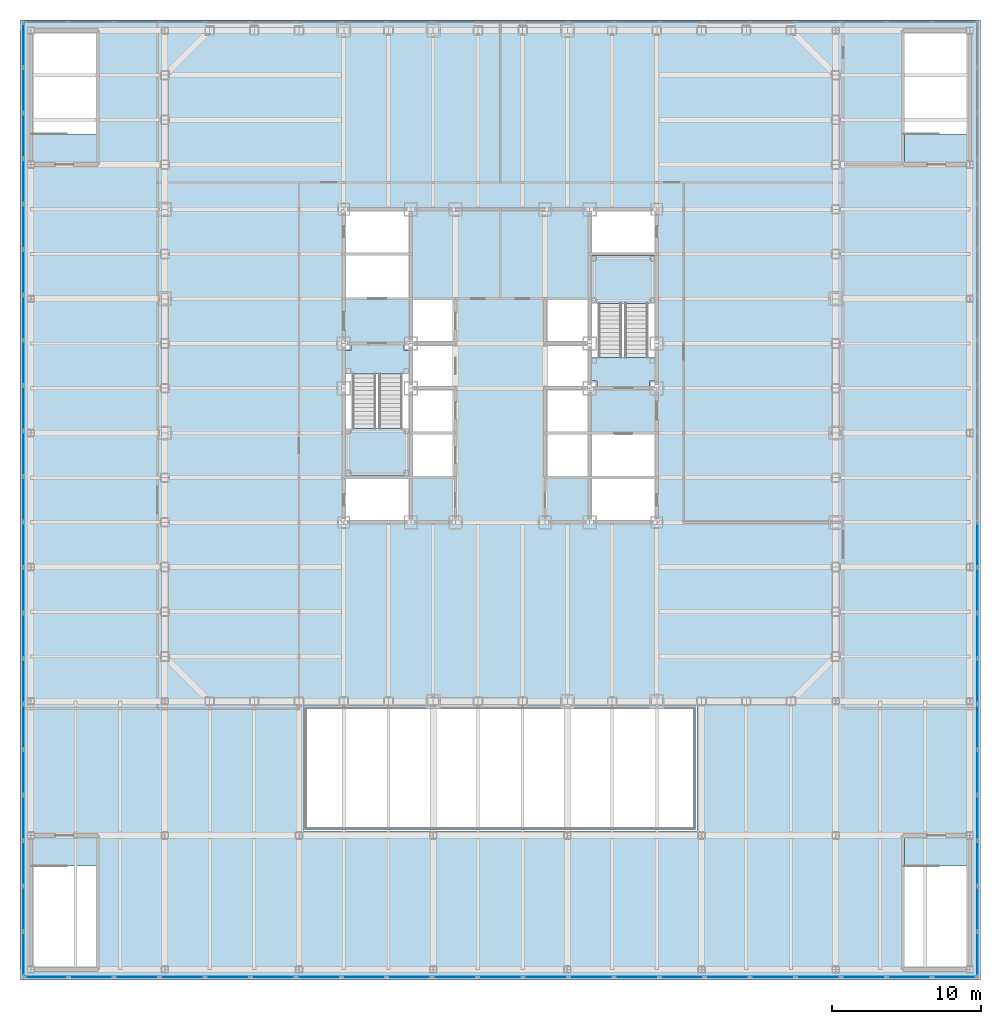
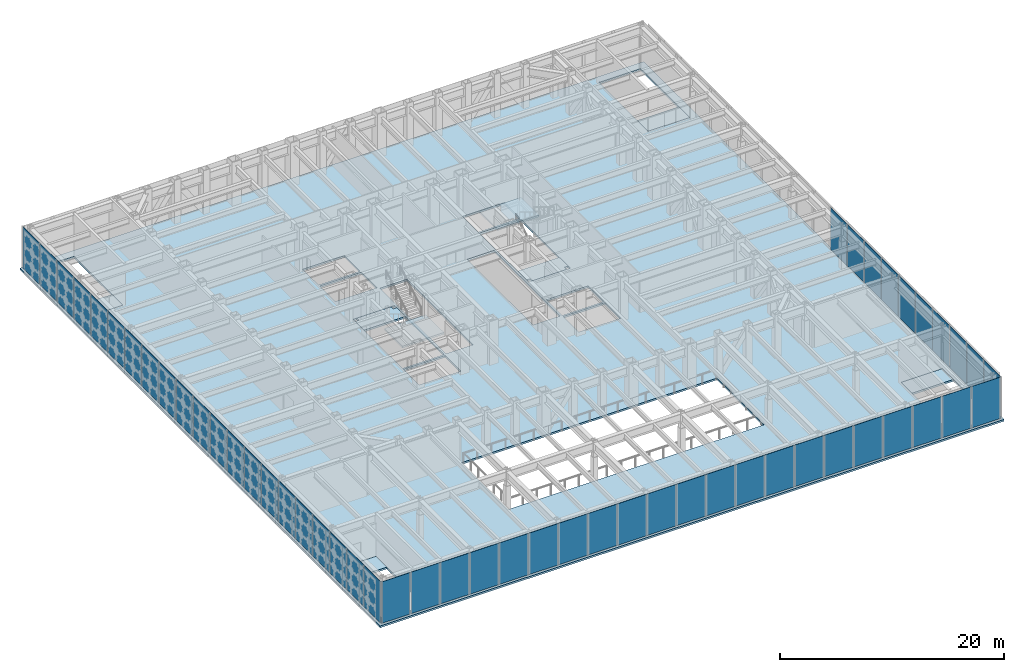
# One storey, part 12 of 24: 52 plates, 9 slabs, 5 elements without a shape of their own.
"""IFC4 building model written with IfcOpenShell, lengths in metres."""

from ifc_helpers import new_model, si_unit, direction, frame, origin, origin_2d, place, context, subcontext, project, spatial, polyline, rectangle, outline, extrude, material, layer, layer_set, type_object, element, aggregate, save


model = new_model("IFC4")

# Units and contexts
model_context = context("Model", 3, precision=1e-05, world=origin(), true_north=direction((0.0, 1.0)))
body_context = subcontext(model_context, "Body", "Model", "MODEL_VIEW")
ifc_project = project(units=[si_unit("LENGTHUNIT", "METRE"), si_unit("AREAUNIT", "SQUARE_METRE"), si_unit("VOLUMEUNIT", "CUBIC_METRE"), si_unit("PLANEANGLEUNIT", "RADIAN"), si_unit("MASSUNIT", "GRAM", prefix="KILO")], contexts=[model_context])

# Site, building, storey
site_placement = place(None, origin())
site = spatial("IfcSite", under=ifc_project, at=site_placement, CompositionType="ELEMENT")
building_placement = place(site_placement, origin())
building = spatial("IfcBuilding", under=site, at=building_placement, Name="Chuquiago Exchange Tower", CompositionType="ELEMENT")
storey_placement = place(building_placement, frame((0.0, 0.0, 19.5)))
storey = spatial("IfcBuildingStorey", under=building, at=storey_placement, Name="L03", CompositionType="ELEMENT", Elevation=19.5)

# Curtain wall, plates
ifc_material_1 = material(Name="Aluminium curtain wall system", Category="aluminium")
ifc_layer_1 = layer(ifc_material_1, 0.300048828125)
ifc_layer_set_1 = layer_set([ifc_layer_1], Name="CW4 podium curtain wall")
curtain_wall_type = type_object("IfcCurtainWallType", Name="CW4 podium curtain wall", PredefinedType="NOTDEFINED", material=ifc_layer_set_1)
curtain_wall_1_placement = place(storey_placement, origin())
curtain_wall_1 = element("IfcCurtainWall", 1, at=curtain_wall_1_placement, inside=storey, type_object=curtain_wall_type, Name="CW4 curtain wall L03", PredefinedType="NOTDEFINED")
ifc_material_2 = material(Name="Glass, insulating unit", Category="glass")
ifc_layer_2 = layer(ifc_material_2, 0.035888671875)
ifc_layer_set_2 = layer_set([ifc_layer_2], Name="CW4-P panel 36")
plate_type = type_object("IfcPlateType", Name="CW4-P panel 36", PredefinedType="CURTAIN_PANEL", material=ifc_layer_set_2)
plate_1_placement = place(storey_placement, frame((-7.95751953125, -18.5, 0.074951171875), z_axis=(0.0, 0.0, 1.0), x_axis=(1.0, 0.0, 0.0)))
plate_1 = element("IfcPlate", 2, at=plate_1_placement, type_object=plate_type, Name="CW4 panel 1.1", PredefinedType="CURTAIN_PANEL", context=body_context, shape_type="SweptSolid", body=[
    extrude(rectangle(XDim=2.93505859375, YDim=0.035888671875, at=origin_2d()), origin(), (0.0, 0.0, 1.0), 4.52490234375),
])
plate_2_placement = place(storey_placement, frame((-4.928466796875, -18.5, 0.074951171875), z_axis=(0.0, 0.0, 1.0), x_axis=(1.0, 0.0, 0.0)))
plate_2 = element("IfcPlate", 3, at=plate_2_placement, type_object=plate_type, Name="CW4 panel 2.1", PredefinedType="CURTAIN_PANEL", context=body_context, shape_type="SweptSolid", body=[
    extrude(rectangle(XDim=2.97265625, YDim=0.035888671875, at=origin_2d()), origin(), (0.0, 0.0, 1.0), 4.52490234375),
])
plate_3_placement = place(storey_placement, frame((-1.880859375, -18.5, 0.074951171875), z_axis=(0.0, 0.0, 1.0), x_axis=(1.0, 0.0, 0.0)))
plate_3 = element("IfcPlate", 4, at=plate_3_placement, type_object=plate_type, Name="CW4 panel 3.1", PredefinedType="CURTAIN_PANEL", context=body_context, shape_type="SweptSolid", body=[
    extrude(rectangle(XDim=2.97265625, YDim=0.035888671875, at=origin_2d()), origin(), (0.0, 0.0, 1.0), 4.52490234375),
])
plate_4_placement = place(storey_placement, frame((1.166748046875, -18.5, 0.074951171875), z_axis=(0.0, 0.0, 1.0), x_axis=(1.0, 0.0, 0.0)))
plate_4 = element("IfcPlate", 5, at=plate_4_placement, type_object=plate_type, Name="CW4 panel 4.1", PredefinedType="CURTAIN_PANEL", context=body_context, shape_type="SweptSolid", body=[
    extrude(rectangle(XDim=2.97265625, YDim=0.035888671875, at=origin_2d()), origin(), (0.0, 0.0, 1.0), 4.52490234375),
])
plate_5_placement = place(storey_placement, frame((4.21435546875, -18.5, 0.074951171875), z_axis=(0.0, 0.0, 1.0), x_axis=(1.0, 0.0, 0.0)))
plate_5 = element("IfcPlate", 6, at=plate_5_placement, type_object=plate_type, Name="CW4 panel 5.1", PredefinedType="CURTAIN_PANEL", context=body_context, shape_type="SweptSolid", body=[
    extrude(rectangle(XDim=2.97265625, YDim=0.035888671875, at=origin_2d()), origin(), (0.0, 0.0, 1.0), 4.52490234375),
])
plate_6_placement = place(storey_placement, frame((7.261962890625, -18.5, 0.074951171875), z_axis=(0.0, 0.0, 1.0), x_axis=(1.0, 0.0, 0.0)))
plate_6 = element("IfcPlate", 7, at=plate_6_placement, type_object=plate_type, Name="CW4 panel 6.1", PredefinedType="CURTAIN_PANEL", context=body_context, shape_type="SweptSolid", body=[
    extrude(rectangle(XDim=2.97265625, YDim=0.035888671875, at=origin_2d()), origin(), (0.0, 0.0, 1.0), 4.52490234375),
])
plate_7_placement = place(storey_placement, frame((10.3095703125, -18.5, 0.074951171875), z_axis=(0.0, 0.0, 1.0), x_axis=(1.0, 0.0, 0.0)))
plate_7 = element("IfcPlate", 8, at=plate_7_placement, type_object=plate_type, Name="CW4 panel 7.1", PredefinedType="CURTAIN_PANEL", context=body_context, shape_type="SweptSolid", body=[
    extrude(rectangle(XDim=2.97265625, YDim=0.035888671875, at=origin_2d()), origin(), (0.0, 0.0, 1.0), 4.52490234375),
])
plate_8_placement = place(storey_placement, frame((13.357177734375, -18.5, 0.074951171875), z_axis=(0.0, 0.0, 1.0), x_axis=(1.0, 0.0, 0.0)))
plate_8 = element("IfcPlate", 9, at=plate_8_placement, type_object=plate_type, Name="CW4 panel 8.1", PredefinedType="CURTAIN_PANEL", context=body_context, shape_type="SweptSolid", body=[
    extrude(rectangle(XDim=2.97265625, YDim=0.035888671875, at=origin_2d()), origin(), (0.0, 0.0, 1.0), 4.52490234375),
])
plate_9_placement = place(storey_placement, frame((16.40478515625, -18.5, 0.074951171875), z_axis=(0.0, 0.0, 1.0), x_axis=(1.0, 0.0, 0.0)))
plate_9 = element("IfcPlate", 10, at=plate_9_placement, type_object=plate_type, Name="CW4 panel 9.1", PredefinedType="CURTAIN_PANEL", context=body_context, shape_type="SweptSolid", body=[
    extrude(rectangle(XDim=2.97265625, YDim=0.035888671875, at=origin_2d()), origin(), (0.0, 0.0, 1.0), 4.52490234375),
])
plate_10_placement = place(storey_placement, frame((19.452392578125, -18.5, 0.074951171875), z_axis=(0.0, 0.0, 1.0), x_axis=(1.0, 0.0, 0.0)))
plate_10 = element("IfcPlate", 11, at=plate_10_placement, type_object=plate_type, Name="CW4 panel 10.1", PredefinedType="CURTAIN_PANEL", context=body_context, shape_type="SweptSolid", body=[
    extrude(rectangle(XDim=2.97265625, YDim=0.035888671875, at=origin_2d()), origin(), (0.0, 0.0, 1.0), 4.52490234375),
])
plate_11_placement = place(storey_placement, frame((22.5, -18.5, 0.074951171875), z_axis=(0.0, 0.0, 1.0), x_axis=(1.0, 0.0, 0.0)))
plate_11 = element("IfcPlate", 12, at=plate_11_placement, type_object=plate_type, Name="CW4 panel 11.1", PredefinedType="CURTAIN_PANEL", context=body_context, shape_type="SweptSolid", body=[
    extrude(rectangle(XDim=2.97265625, YDim=0.035888671875, at=origin_2d()), origin(), (0.0, 0.0, 1.0), 4.52490234375),
])
plate_12_placement = place(storey_placement, frame((25.547607421875, -18.5, 0.074951171875), z_axis=(0.0, 0.0, 1.0), x_axis=(1.0, 0.0, 0.0)))
plate_12 = element("IfcPlate", 13, at=plate_12_placement, type_object=plate_type, Name="CW4 panel 12.1", PredefinedType="CURTAIN_PANEL", context=body_context, shape_type="SweptSolid", body=[
    extrude(rectangle(XDim=2.97265625, YDim=0.035888671875, at=origin_2d()), origin(), (0.0, 0.0, 1.0), 4.52490234375),
])
plate_13_placement = place(storey_placement, frame((28.59521484375, -18.5, 0.074951171875), z_axis=(0.0, 0.0, 1.0), x_axis=(1.0, 0.0, 0.0)))
plate_13 = element("IfcPlate", 14, at=plate_13_placement, type_object=plate_type, Name="CW4 panel 13.1", PredefinedType="CURTAIN_PANEL", context=body_context, shape_type="SweptSolid", body=[
    extrude(rectangle(XDim=2.97265625, YDim=0.035888671875, at=origin_2d()), origin(), (0.0, 0.0, 1.0), 4.52490234375),
])
plate_14_placement = place(storey_placement, frame((31.642822265625, -18.5, 0.074951171875), z_axis=(0.0, 0.0, 1.0), x_axis=(1.0, 0.0, 0.0)))
plate_14 = element("IfcPlate", 15, at=plate_14_placement, type_object=plate_type, Name="CW4 panel 14.1", PredefinedType="CURTAIN_PANEL", context=body_context, shape_type="SweptSolid", body=[
    extrude(rectangle(XDim=2.97265625, YDim=0.035888671875, at=origin_2d()), origin(), (0.0, 0.0, 1.0), 4.52490234375),
])
plate_15_placement = place(storey_placement, frame((34.6904296875, -18.5, 0.074951171875), z_axis=(0.0, 0.0, 1.0), x_axis=(1.0, 0.0, 0.0)))
plate_15 = element("IfcPlate", 16, at=plate_15_placement, type_object=plate_type, Name="CW4 panel 15.1", PredefinedType="CURTAIN_PANEL", context=body_context, shape_type="SweptSolid", body=[
    extrude(rectangle(XDim=2.97265625, YDim=0.035888671875, at=origin_2d()), origin(), (0.0, 0.0, 1.0), 4.52490234375),
])
plate_16_placement = place(storey_placement, frame((37.738037109375, -18.5, 0.074951171875), z_axis=(0.0, 0.0, 1.0), x_axis=(1.0, 0.0, 0.0)))
plate_16 = element("IfcPlate", 17, at=plate_16_placement, type_object=plate_type, Name="CW4 panel 16.1", PredefinedType="CURTAIN_PANEL", context=body_context, shape_type="SweptSolid", body=[
    extrude(rectangle(XDim=2.97265625, YDim=0.035888671875, at=origin_2d()), origin(), (0.0, 0.0, 1.0), 4.52490234375),
])
plate_17_placement = place(storey_placement, frame((40.78564453125, -18.5, 0.074951171875), z_axis=(0.0, 0.0, 1.0), x_axis=(1.0, 0.0, 0.0)))
plate_17 = element("IfcPlate", 18, at=plate_17_placement, type_object=plate_type, Name="CW4 panel 17.1", PredefinedType="CURTAIN_PANEL", context=body_context, shape_type="SweptSolid", body=[
    extrude(rectangle(XDim=2.97265625, YDim=0.035888671875, at=origin_2d()), origin(), (0.0, 0.0, 1.0), 4.52490234375),
])
plate_18_placement = place(storey_placement, frame((43.833251953125, -18.5, 0.074951171875), z_axis=(0.0, 0.0, 1.0), x_axis=(1.0, 0.0, 0.0)))
plate_18 = element("IfcPlate", 19, at=plate_18_placement, type_object=plate_type, Name="CW4 panel 18.1", PredefinedType="CURTAIN_PANEL", context=body_context, shape_type="SweptSolid", body=[
    extrude(rectangle(XDim=2.97265625, YDim=0.035888671875, at=origin_2d()), origin(), (0.0, 0.0, 1.0), 4.52490234375),
])
plate_19_placement = place(storey_placement, frame((46.880859375, -18.5, 0.074951171875), z_axis=(0.0, 0.0, 1.0), x_axis=(1.0, 0.0, 0.0)))
plate_19 = element("IfcPlate", 20, at=plate_19_placement, type_object=plate_type, Name="CW4 panel 19.1", PredefinedType="CURTAIN_PANEL", context=body_context, shape_type="SweptSolid", body=[
    extrude(rectangle(XDim=2.97265625, YDim=0.035888671875, at=origin_2d()), origin(), (0.0, 0.0, 1.0), 4.52490234375),
])
plate_20_placement = place(storey_placement, frame((49.928466796875, -18.5, 0.074951171875), z_axis=(0.0, 0.0, 1.0), x_axis=(1.0, 0.0, 0.0)))
plate_20 = element("IfcPlate", 21, at=plate_20_placement, type_object=plate_type, Name="CW4 panel 20.1", PredefinedType="CURTAIN_PANEL", context=body_context, shape_type="SweptSolid", body=[
    extrude(rectangle(XDim=2.97265625, YDim=0.035888671875, at=origin_2d()), origin(), (0.0, 0.0, 1.0), 4.52490234375),
])
plate_21_placement = place(storey_placement, frame((52.95751953125, -18.5, 0.074951171875), z_axis=(0.0, 0.0, 1.0), x_axis=(1.0, 0.0, 0.0)))
plate_21 = element("IfcPlate", 22, at=plate_21_placement, type_object=plate_type, Name="CW4 panel 21.1", PredefinedType="CURTAIN_PANEL", context=body_context, shape_type="SweptSolid", body=[
    extrude(rectangle(XDim=2.93505859375, YDim=0.035888671875, at=origin_2d()), origin(), (0.0, 0.0, 1.0), 4.52490234375),
])
aggregate(curtain_wall_1, [plate_1, plate_2, plate_3, plate_4, plate_5, plate_6, plate_7, plate_8, plate_9, plate_10, plate_11, plate_12, plate_13, plate_14, plate_15, plate_16, plate_17, plate_18, plate_19, plate_20, plate_21])

curtain_wall_2_placement = place(storey_placement, origin())
curtain_wall_2 = element("IfcCurtainWall", 23, at=curtain_wall_2_placement, inside=storey, type_object=curtain_wall_type, Name="CW4 curtain wall L03", PredefinedType="NOTDEFINED")
plate_22_placement = place(storey_placement, frame((54.5, -16.95556640625, 0.074951171875), z_axis=(0.0, 0.0, 1.0), x_axis=(0.0, 1.0, 0.0)))
plate_22 = element("IfcPlate", 24, at=plate_22_placement, type_object=plate_type, Name="CW4 panel 1.1", PredefinedType="CURTAIN_PANEL", context=body_context, shape_type="SweptSolid", body=[
    extrude(rectangle(XDim=2.938720703125, YDim=0.035888671875, at=origin_2d()), origin(), (0.0, 0.0, 1.0), 4.52490234375),
])
plate_23_placement = place(storey_placement, frame((54.5, -13.923095703125, 0.074951171875), z_axis=(0.0, 0.0, 1.0), x_axis=(0.0, 1.0, 0.0)))
plate_23 = element("IfcPlate", 25, at=plate_23_placement, type_object=plate_type, Name="CW4 panel 2.1", PredefinedType="CURTAIN_PANEL", context=body_context, shape_type="SweptSolid", body=[
    extrude(rectangle(XDim=2.97607421875, YDim=0.035888671875, at=origin_2d()), origin(), (0.0, 0.0, 1.0), 4.52490234375),
])
plate_24_placement = place(storey_placement, frame((54.5, -10.8720703125, 0.074951171875), z_axis=(0.0, 0.0, 1.0), x_axis=(0.0, 1.0, 0.0)))
plate_24 = element("IfcPlate", 26, at=plate_24_placement, type_object=plate_type, Name="CW4 panel 3.1", PredefinedType="CURTAIN_PANEL", context=body_context, shape_type="SweptSolid", body=[
    extrude(rectangle(XDim=2.97607421875, YDim=0.035888671875, at=origin_2d()), origin(), (0.0, 0.0, 1.0), 4.52490234375),
])
plate_25_placement = place(storey_placement, frame((54.5, -7.82080078125, 0.074951171875), z_axis=(0.0, 0.0, 1.0), x_axis=(0.0, 1.0, 0.0)))
plate_25 = element("IfcPlate", 27, at=plate_25_placement, type_object=plate_type, Name="CW4 panel 4.1", PredefinedType="CURTAIN_PANEL", context=body_context, shape_type="SweptSolid", body=[
    extrude(rectangle(XDim=2.97607421875, YDim=0.035888671875, at=origin_2d()), origin(), (0.0, 0.0, 1.0), 4.52490234375),
])
plate_26_placement = place(storey_placement, frame((54.5, -4.76953125, 0.074951171875), z_axis=(0.0, 0.0, 1.0), x_axis=(0.0, 1.0, 0.0)))
plate_26 = element("IfcPlate", 28, at=plate_26_placement, type_object=plate_type, Name="CW4 panel 5.1", PredefinedType="CURTAIN_PANEL", context=body_context, shape_type="SweptSolid", body=[
    extrude(rectangle(XDim=2.97607421875, YDim=0.035888671875, at=origin_2d()), origin(), (0.0, 0.0, 1.0), 4.52490234375),
])
plate_27_placement = place(storey_placement, frame((54.5, -1.718505859375, 0.074951171875), z_axis=(0.0, 0.0, 1.0), x_axis=(0.0, 1.0, 0.0)))
plate_27 = element("IfcPlate", 29, at=plate_27_placement, type_object=plate_type, Name="CW4 panel 6.1", PredefinedType="CURTAIN_PANEL", context=body_context, shape_type="SweptSolid", body=[
    extrude(rectangle(XDim=2.97607421875, YDim=0.035888671875, at=origin_2d()), origin(), (0.0, 0.0, 1.0), 4.52490234375),
])
plate_28_placement = place(storey_placement, frame((54.5, 1.332763671875, 0.074951171875), z_axis=(0.0, 0.0, 1.0), x_axis=(0.0, 1.0, 0.0)))
plate_28 = element("IfcPlate", 30, at=plate_28_placement, type_object=plate_type, Name="CW4 panel 7.1", PredefinedType="CURTAIN_PANEL", context=body_context, shape_type="SweptSolid", body=[
    extrude(rectangle(XDim=2.97607421875, YDim=0.035888671875, at=origin_2d()), origin(), (0.0, 0.0, 1.0), 4.52490234375),
])
plate_29_placement = place(storey_placement, frame((54.5, 4.384033203125, 0.074951171875), z_axis=(0.0, 0.0, 1.0), x_axis=(0.0, 1.0, 0.0)))
plate_29 = element("IfcPlate", 31, at=plate_29_placement, type_object=plate_type, Name="CW4 panel 8.1", PredefinedType="CURTAIN_PANEL", context=body_context, shape_type="SweptSolid", body=[
    extrude(rectangle(XDim=2.97607421875, YDim=0.035888671875, at=origin_2d()), origin(), (0.0, 0.0, 1.0), 4.52490234375),
])
plate_30_placement = place(storey_placement, frame((54.5, 7.43505859375, 0.074951171875), z_axis=(0.0, 0.0, 1.0), x_axis=(0.0, 1.0, 0.0)))
plate_30 = element("IfcPlate", 32, at=plate_30_placement, type_object=plate_type, Name="CW4 panel 9.1", PredefinedType="CURTAIN_PANEL", context=body_context, shape_type="SweptSolid", body=[
    extrude(rectangle(XDim=2.97607421875, YDim=0.035888671875, at=origin_2d()), origin(), (0.0, 0.0, 1.0), 4.52490234375),
])
plate_31_placement = place(storey_placement, frame((54.5, 10.486328125, 0.074951171875), z_axis=(0.0, 0.0, 1.0), x_axis=(0.0, 1.0, 0.0)))
plate_31 = element("IfcPlate", 33, at=plate_31_placement, type_object=plate_type, Name="CW4 panel 10.1", PredefinedType="CURTAIN_PANEL", context=body_context, shape_type="SweptSolid", body=[
    extrude(rectangle(XDim=2.97607421875, YDim=0.035888671875, at=origin_2d()), origin(), (0.0, 0.0, 1.0), 4.52490234375),
])
aggregate(curtain_wall_2, [plate_22, plate_23, plate_24, plate_25, plate_26, plate_27, plate_28, plate_29, plate_30, plate_31])

curtain_wall_3_placement = place(storey_placement, origin())
curtain_wall_3 = element("IfcCurtainWall", 34, at=curtain_wall_3_placement, inside=storey, type_object=curtain_wall_type, Name="CW4 curtain wall L03", PredefinedType="NOTDEFINED")
plate_32_placement = place(storey_placement, frame((-9.5, 44.03076171875, 0.074951171875), z_axis=(0.0, 0.0, 1.0), x_axis=(0.0, -1.0, 0.0)))
plate_32 = element("IfcPlate", 35, at=plate_32_placement, type_object=plate_type, Name="CW4 panel 1.1", PredefinedType="CURTAIN_PANEL", context=body_context, shape_type="SweptSolid", body=[
    extrude(rectangle(XDim=2.938720703125, YDim=0.035888671875, at=origin_2d()), origin(), (0.0, 0.0, 1.0), 4.52490234375),
])
plate_33_placement = place(storey_placement, frame((-9.5, 40.998291015625, 0.074951171875), z_axis=(0.0, 0.0, 1.0), x_axis=(0.0, -1.0, 0.0)))
plate_33 = element("IfcPlate", 36, at=plate_33_placement, type_object=plate_type, Name="CW4 panel 2.1", PredefinedType="CURTAIN_PANEL", context=body_context, shape_type="SweptSolid", body=[
    extrude(rectangle(XDim=2.97607421875, YDim=0.035888671875, at=origin_2d()), origin(), (0.0, 0.0, 1.0), 4.52490234375),
])
plate_34_placement = place(storey_placement, frame((-9.5, 37.947021484375, 0.074951171875), z_axis=(0.0, 0.0, 1.0), x_axis=(0.0, -1.0, 0.0)))
plate_34 = element("IfcPlate", 37, at=plate_34_placement, type_object=plate_type, Name="CW4 panel 3.1", PredefinedType="CURTAIN_PANEL", context=body_context, shape_type="SweptSolid", body=[
    extrude(rectangle(XDim=2.97607421875, YDim=0.035888671875, at=origin_2d()), origin(), (0.0, 0.0, 1.0), 4.52490234375),
])
plate_35_placement = place(storey_placement, frame((-9.5, 34.895751953125, 0.074951171875), z_axis=(0.0, 0.0, 1.0), x_axis=(0.0, -1.0, 0.0)))
plate_35 = element("IfcPlate", 38, at=plate_35_placement, type_object=plate_type, Name="CW4 panel 4.1", PredefinedType="CURTAIN_PANEL", context=body_context, shape_type="SweptSolid", body=[
    extrude(rectangle(XDim=2.97607421875, YDim=0.035888671875, at=origin_2d()), origin(), (0.0, 0.0, 1.0), 4.52490234375),
])
plate_36_placement = place(storey_placement, frame((-9.5, 31.8447265625, 0.074951171875), z_axis=(0.0, 0.0, 1.0), x_axis=(0.0, -1.0, 0.0)))
plate_36 = element("IfcPlate", 39, at=plate_36_placement, type_object=plate_type, Name="CW4 panel 5.1", PredefinedType="CURTAIN_PANEL", context=body_context, shape_type="SweptSolid", body=[
    extrude(rectangle(XDim=2.97607421875, YDim=0.035888671875, at=origin_2d()), origin(), (0.0, 0.0, 1.0), 4.52490234375),
])
plate_37_placement = place(storey_placement, frame((-9.5, 28.79345703125, 0.074951171875), z_axis=(0.0, 0.0, 1.0), x_axis=(0.0, -1.0, 0.0)))
plate_37 = element("IfcPlate", 40, at=plate_37_placement, type_object=plate_type, Name="CW4 panel 6.1", PredefinedType="CURTAIN_PANEL", context=body_context, shape_type="SweptSolid", body=[
    extrude(rectangle(XDim=2.97607421875, YDim=0.035888671875, at=origin_2d()), origin(), (0.0, 0.0, 1.0), 4.52490234375),
])
plate_38_placement = place(storey_placement, frame((-9.5, 25.7421875, 0.074951171875), z_axis=(0.0, 0.0, 1.0), x_axis=(0.0, -1.0, 0.0)))
plate_38 = element("IfcPlate", 41, at=plate_38_placement, type_object=plate_type, Name="CW4 panel 7.1", PredefinedType="CURTAIN_PANEL", context=body_context, shape_type="SweptSolid", body=[
    extrude(rectangle(XDim=2.97607421875, YDim=0.035888671875, at=origin_2d()), origin(), (0.0, 0.0, 1.0), 4.52490234375),
])
plate_39_placement = place(storey_placement, frame((-9.5, 22.691162109375, 0.074951171875), z_axis=(0.0, 0.0, 1.0), x_axis=(0.0, -1.0, 0.0)))
plate_39 = element("IfcPlate", 42, at=plate_39_placement, type_object=plate_type, Name="CW4 panel 8.1", PredefinedType="CURTAIN_PANEL", context=body_context, shape_type="SweptSolid", body=[
    extrude(rectangle(XDim=2.97607421875, YDim=0.035888671875, at=origin_2d()), origin(), (0.0, 0.0, 1.0), 4.52490234375),
])
plate_40_placement = place(storey_placement, frame((-9.5, 19.639892578125, 0.074951171875), z_axis=(0.0, 0.0, 1.0), x_axis=(0.0, -1.0, 0.0)))
plate_40 = element("IfcPlate", 43, at=plate_40_placement, type_object=plate_type, Name="CW4 panel 9.1", PredefinedType="CURTAIN_PANEL", context=body_context, shape_type="SweptSolid", body=[
    extrude(rectangle(XDim=2.97607421875, YDim=0.035888671875, at=origin_2d()), origin(), (0.0, 0.0, 1.0), 4.52490234375),
])
plate_41_placement = place(storey_placement, frame((-9.5, 16.588623046875, 0.074951171875), z_axis=(0.0, 0.0, 1.0), x_axis=(0.0, -1.0, 0.0)))
plate_41 = element("IfcPlate", 44, at=plate_41_placement, type_object=plate_type, Name="CW4 panel 10.1", PredefinedType="CURTAIN_PANEL", context=body_context, shape_type="SweptSolid", body=[
    extrude(rectangle(XDim=2.97607421875, YDim=0.035888671875, at=origin_2d()), origin(), (0.0, 0.0, 1.0), 4.52490234375),
])
plate_42_placement = place(storey_placement, frame((-9.5, 13.53759765625, 0.074951171875), z_axis=(0.0, 0.0, 1.0), x_axis=(0.0, -1.0, 0.0)))
plate_42 = element("IfcPlate", 45, at=plate_42_placement, type_object=plate_type, Name="CW4 panel 11.1", PredefinedType="CURTAIN_PANEL", context=body_context, shape_type="SweptSolid", body=[
    extrude(rectangle(XDim=2.97607421875, YDim=0.035888671875, at=origin_2d()), origin(), (0.0, 0.0, 1.0), 4.52490234375),
])
plate_43_placement = place(storey_placement, frame((-9.5, 10.486328125, 0.074951171875), z_axis=(0.0, 0.0, 1.0), x_axis=(0.0, -1.0, 0.0)))
plate_43 = element("IfcPlate", 46, at=plate_43_placement, type_object=plate_type, Name="CW4 panel 12.1", PredefinedType="CURTAIN_PANEL", context=body_context, shape_type="SweptSolid", body=[
    extrude(rectangle(XDim=2.97607421875, YDim=0.035888671875, at=origin_2d()), origin(), (0.0, 0.0, 1.0), 4.52490234375),
])
plate_44_placement = place(storey_placement, frame((-9.5, 7.43505859375, 0.074951171875), z_axis=(0.0, 0.0, 1.0), x_axis=(0.0, -1.0, 0.0)))
plate_44 = element("IfcPlate", 47, at=plate_44_placement, type_object=plate_type, Name="CW4 panel 13.1", PredefinedType="CURTAIN_PANEL", context=body_context, shape_type="SweptSolid", body=[
    extrude(rectangle(XDim=2.97607421875, YDim=0.035888671875, at=origin_2d()), origin(), (0.0, 0.0, 1.0), 4.52490234375),
])
plate_45_placement = place(storey_placement, frame((-9.5, 4.384033203125, 0.074951171875), z_axis=(0.0, 0.0, 1.0), x_axis=(0.0, -1.0, 0.0)))
plate_45 = element("IfcPlate", 48, at=plate_45_placement, type_object=plate_type, Name="CW4 panel 14.1", PredefinedType="CURTAIN_PANEL", context=body_context, shape_type="SweptSolid", body=[
    extrude(rectangle(XDim=2.97607421875, YDim=0.035888671875, at=origin_2d()), origin(), (0.0, 0.0, 1.0), 4.52490234375),
])
plate_46_placement = place(storey_placement, frame((-9.5, 1.332763671875, 0.074951171875), z_axis=(0.0, 0.0, 1.0), x_axis=(0.0, -1.0, 0.0)))
plate_46 = element("IfcPlate", 49, at=plate_46_placement, type_object=plate_type, Name="CW4 panel 15.1", PredefinedType="CURTAIN_PANEL", context=body_context, shape_type="SweptSolid", body=[
    extrude(rectangle(XDim=2.97607421875, YDim=0.035888671875, at=origin_2d()), origin(), (0.0, 0.0, 1.0), 4.52490234375),
])
plate_47_placement = place(storey_placement, frame((-9.5, -1.718505859375, 0.074951171875), z_axis=(0.0, 0.0, 1.0), x_axis=(0.0, -1.0, 0.0)))
plate_47 = element("IfcPlate", 50, at=plate_47_placement, type_object=plate_type, Name="CW4 panel 16.1", PredefinedType="CURTAIN_PANEL", context=body_context, shape_type="SweptSolid", body=[
    extrude(rectangle(XDim=2.97607421875, YDim=0.035888671875, at=origin_2d()), origin(), (0.0, 0.0, 1.0), 4.52490234375),
])
plate_48_placement = place(storey_placement, frame((-9.5, -4.76953125, 0.074951171875), z_axis=(0.0, 0.0, 1.0), x_axis=(0.0, -1.0, 0.0)))
plate_48 = element("IfcPlate", 51, at=plate_48_placement, type_object=plate_type, Name="CW4 panel 17.1", PredefinedType="CURTAIN_PANEL", context=body_context, shape_type="SweptSolid", body=[
    extrude(rectangle(XDim=2.97607421875, YDim=0.035888671875, at=origin_2d()), origin(), (0.0, 0.0, 1.0), 4.52490234375),
])
plate_49_placement = place(storey_placement, frame((-9.5, -7.82080078125, 0.074951171875), z_axis=(0.0, 0.0, 1.0), x_axis=(0.0, -1.0, 0.0)))
plate_49 = element("IfcPlate", 52, at=plate_49_placement, type_object=plate_type, Name="CW4 panel 18.1", PredefinedType="CURTAIN_PANEL", context=body_context, shape_type="SweptSolid", body=[
    extrude(rectangle(XDim=2.97607421875, YDim=0.035888671875, at=origin_2d()), origin(), (0.0, 0.0, 1.0), 4.52490234375),
])
plate_50_placement = place(storey_placement, frame((-9.5, -10.8720703125, 0.074951171875), z_axis=(0.0, 0.0, 1.0), x_axis=(0.0, -1.0, 0.0)))
plate_50 = element("IfcPlate", 53, at=plate_50_placement, type_object=plate_type, Name="CW4 panel 19.1", PredefinedType="CURTAIN_PANEL", context=body_context, shape_type="SweptSolid", body=[
    extrude(rectangle(XDim=2.97607421875, YDim=0.035888671875, at=origin_2d()), origin(), (0.0, 0.0, 1.0), 4.52490234375),
])
plate_51_placement = place(storey_placement, frame((-9.5, -13.923095703125, 0.074951171875), z_axis=(0.0, 0.0, 1.0), x_axis=(0.0, -1.0, 0.0)))
plate_51 = element("IfcPlate", 54, at=plate_51_placement, type_object=plate_type, Name="CW4 panel 20.1", PredefinedType="CURTAIN_PANEL", context=body_context, shape_type="SweptSolid", body=[
    extrude(rectangle(XDim=2.97607421875, YDim=0.035888671875, at=origin_2d()), origin(), (0.0, 0.0, 1.0), 4.52490234375),
])
plate_52_placement = place(storey_placement, frame((-9.5, -16.95556640625, 0.074951171875), z_axis=(0.0, 0.0, 1.0), x_axis=(0.0, -1.0, 0.0)))
plate_52 = element("IfcPlate", 55, at=plate_52_placement, type_object=plate_type, Name="CW4 panel 21.1", PredefinedType="CURTAIN_PANEL", context=body_context, shape_type="SweptSolid", body=[
    extrude(rectangle(XDim=2.938720703125, YDim=0.035888671875, at=origin_2d()), origin(), (0.0, 0.0, 1.0), 4.52490234375),
])
aggregate(curtain_wall_3, [plate_32, plate_33, plate_34, plate_35, plate_36, plate_37, plate_38, plate_39, plate_40, plate_41, plate_42, plate_43, plate_44, plate_45, plate_46, plate_47, plate_48, plate_49, plate_50, plate_51, plate_52])

# Slab
ifc_material_3 = material(Name="Concrete C30/37", Category="concrete")
ifc_layer_3 = layer(ifc_material_3, 0.199951171875)
ifc_layer_set_3 = layer_set([ifc_layer_3], Name="FS2 podium floor 200")
slab_type_1 = type_object("IfcSlabType", Name="FS2 podium floor 200", PredefinedType="FLOOR", material=ifc_layer_set_3)
slab_1_placement = place(storey_placement, frame((0.0, 0.0, -0.199951171875)))
element("IfcSlab", 56, at=slab_1_placement, inside=storey, type_object=slab_type_1, Name="L03 floor slab", PredefinedType="FLOOR", context=body_context, shape_type="SweptSolid", body=[
    extrude(outline(polyline([(54.699951171875, -18.699951171875), (54.699951171875, 45.699951171875), (-9.699951171875, 45.699951171875), (-9.699951171875, -18.699951171875), (54.699951171875, -18.699951171875)]), holes=[polyline([(16.39990234375, 15.10009765625), (12.10009765625, 15.10009765625), (12.10009765625, 23.89990234375), (16.39990234375, 23.89990234375), (16.39990234375, 15.10009765625)]), polyline([(32.89990234375, 21.10009765625), (28.60009765625, 21.10009765625), (28.60009765625, 29.89990234375), (32.89990234375, 29.89990234375), (32.89990234375, 21.10009765625)]), polyline([(16.39990234375, 12.10009765625), (12.10009765625, 12.10009765625), (12.10009765625, 14.89990234375), (16.39990234375, 14.89990234375), (16.39990234375, 12.10009765625)]), polyline([(16.39990234375, 30.10009765625), (12.10009765625, 30.10009765625), (12.10009765625, 32.89990234375), (16.39990234375, 32.89990234375), (16.39990234375, 30.10009765625)]), polyline([(32.89990234375, 12.10009765625), (28.60009765625, 12.10009765625), (28.60009765625, 14.89990234375), (32.89990234375, 14.89990234375), (32.89990234375, 12.10009765625)]), polyline([(32.89990234375, 30.10009765625), (28.60009765625, 30.10009765625), (28.60009765625, 32.89990234375), (32.89990234375, 32.89990234375), (32.89990234375, 30.10009765625)]), polyline([(16.39990234375, 27.10009765625), (12.10009765625, 27.10009765625), (12.10009765625, 29.89990234375), (16.39990234375, 29.89990234375), (16.39990234375, 27.10009765625)]), polyline([(32.89990234375, 15.10009765625), (28.60009765625, 15.10009765625), (28.60009765625, 17.89990234375), (32.89990234375, 17.89990234375), (32.89990234375, 15.10009765625)]), polyline([(19.39990234375, 15.10009765625), (16.60009765625, 15.10009765625), (16.60009765625, 26.89990234375), (19.39990234375, 26.89990234375), (19.39990234375, 15.10009765625)]), polyline([(28.39990234375, 15.10009765625), (25.60009765625, 15.10009765625), (25.60009765625, 26.89990234375), (28.39990234375, 26.89990234375), (28.39990234375, 15.10009765625)]), polyline([(-4.60009765625, -17.89990234375), (-8.89990234375, -17.89990234375), (-8.89990234375, -9.10009765625), (-4.60009765625, -9.10009765625), (-4.60009765625, -17.89990234375)]), polyline([(53.89990234375, -17.89990234375), (49.60009765625, -17.89990234375), (49.60009765625, -9.10009765625), (53.89990234375, -9.10009765625), (53.89990234375, -17.89990234375)]), polyline([(-4.60009765625, 36.10009765625), (-8.89990234375, 36.10009765625), (-8.89990234375, 44.89990234375), (-4.60009765625, 44.89990234375), (-4.60009765625, 36.10009765625)]), polyline([(53.89990234375, 36.10009765625), (49.60009765625, 36.10009765625), (49.60009765625, 44.89990234375), (53.89990234375, 44.89990234375), (53.89990234375, 36.10009765625)]), polyline([(35.699951171875, -8.699951171875), (35.699951171875, -0.300048828125), (9.300048828125, -0.300048828125), (9.300048828125, -8.699951171875), (35.699951171875, -8.699951171875)])]), origin(), (0.0, 0.0, 1.0), 0.199951171875),
])

# Stair, slabs
ifc_material_4 = material(Name="Concrete C30/37, precast", Category="concrete")
stair_type_1 = type_object("IfcStairType", Name="ST1 half-turn stair 4800", PredefinedType="HALF_TURN_STAIR", material=ifc_material_4)
stair_1_placement = place(storey_placement, origin())
stair_1 = element("IfcStair", 57, at=stair_1_placement, inside=storey, type_object=stair_type_1, Name="Stair ST1 L03", PredefinedType="HALF_TURN_STAIR")
ifc_material_5 = material(Name="Concrete C30/37, precast", Category="concrete")
ifc_layer_4 = layer(ifc_material_5, 0.199951171875)
ifc_layer_set_4 = layer_set([ifc_layer_4], Name="ST-L landing 200")
slab_type_2 = type_object("IfcSlabType", Name="ST-L landing 200", PredefinedType="LANDING", material=ifc_layer_set_4)
slab_2_placement = place(storey_placement, frame((0.0, 0.0, -0.199951171875)))
slab_2 = element("IfcSlab", 58, at=slab_2_placement, type_object=slab_type_2, Name="ST1 landing 1", PredefinedType="LANDING", context=body_context, shape_type="SweptSolid", body=[
    extrude(outline(polyline([(12.47509765625, 23.89990234375), (16.02490234375, 23.89990234375), (16.02490234375, 23.52490234375), (16.39990234375, 23.52490234375), (16.39990234375, 21.949951171875), (12.10009765625, 21.949951171875), (12.10009765625, 23.52490234375), (12.47509765625, 23.52490234375), (12.47509765625, 23.89990234375)])), origin(), (0.0, 0.0, 1.0), 0.199951171875),
])
slab_3_placement = place(storey_placement, frame((0.0, 0.0, 2.199951171875)))
slab_3 = element("IfcSlab", 59, at=slab_3_placement, type_object=slab_type_2, Name="ST1 landing 2", PredefinedType="LANDING", context=body_context, shape_type="SweptSolid", body=[
    extrude(outline(polyline([(12.10009765625, 18.31005859375), (16.39990234375, 18.31005859375), (16.39990234375, 15.10009765625), (12.10009765625, 15.10009765625), (12.10009765625, 18.31005859375)])), origin(), (0.0, 0.0, 1.0), 0.199951171875),
])
aggregate(stair_1, [slab_2, slab_3])

ifc_material_6 = material(Name="Concrete C30/37, precast", Category="concrete")
stair_type_2 = type_object("IfcStairType", Name="ST2 half-turn stair 4800", PredefinedType="HALF_TURN_STAIR", material=ifc_material_6)
stair_2_placement = place(storey_placement, origin())
stair_2 = element("IfcStair", 60, at=stair_2_placement, inside=storey, type_object=stair_type_2, Name="Stair ST2 L03", PredefinedType="HALF_TURN_STAIR")
slab_4_placement = place(storey_placement, frame((0.0, 0.0, -0.199951171875)))
slab_4 = element("IfcSlab", 61, at=slab_4_placement, type_object=slab_type_2, Name="ST2 landing 1", PredefinedType="LANDING", context=body_context, shape_type="SweptSolid", body=[
    extrude(outline(polyline([(32.52490234375, 21.47509765625), (32.52490234375, 21.10009765625), (28.97509765625, 21.10009765625), (28.97509765625, 21.47509765625), (28.60009765625, 21.47509765625), (28.60009765625, 23.050048828125), (32.89990234375, 23.050048828125), (32.89990234375, 21.47509765625), (32.52490234375, 21.47509765625)])), origin(), (0.0, 0.0, 1.0), 0.199951171875),
])
slab_5_placement = place(storey_placement, frame((0.0, 0.0, 2.199951171875)))
slab_5 = element("IfcSlab", 62, at=slab_5_placement, type_object=slab_type_2, Name="ST2 landing 2", PredefinedType="LANDING", context=body_context, shape_type="SweptSolid", body=[
    extrude(outline(polyline([(28.60009765625, 29.89990234375), (32.89990234375, 29.89990234375), (32.89990234375, 26.68994140625), (28.60009765625, 26.68994140625), (28.60009765625, 29.89990234375)])), origin(), (0.0, 0.0, 1.0), 0.199951171875),
])
aggregate(stair_2, [slab_4, slab_5])

# Slabs
slab_6_placement = place(storey_placement, frame((0.0, 0.0, -0.199951171875)))
element("IfcSlab", 63, at=slab_6_placement, inside=storey, type_object=slab_type_2, Name="Stair PS1 top landing L03", PredefinedType="LANDING", context=body_context, shape_type="SweptSolid", body=[
    extrude(outline(polyline([(-8.89990234375, -11.050048828125), (-4.60009765625, -11.050048828125), (-4.60009765625, -9.10009765625), (-8.89990234375, -9.10009765625), (-8.89990234375, -11.050048828125)])), origin(), (0.0, 0.0, 1.0), 0.199951171875),
])
slab_7_placement = place(storey_placement, frame((0.0, 0.0, -0.199951171875)))
element("IfcSlab", 64, at=slab_7_placement, inside=storey, type_object=slab_type_2, Name="Stair PS2 top landing L03", PredefinedType="LANDING", context=body_context, shape_type="SweptSolid", body=[
    extrude(outline(polyline([(49.60009765625, -11.050048828125), (53.89990234375, -11.050048828125), (53.89990234375, -9.10009765625), (49.60009765625, -9.10009765625), (49.60009765625, -11.050048828125)])), origin(), (0.0, 0.0, 1.0), 0.199951171875),
])
slab_8_placement = place(storey_placement, frame((0.0, 0.0, -0.199951171875)))
element("IfcSlab", 65, at=slab_8_placement, inside=storey, type_object=slab_type_2, Name="Stair PS3 top landing L03", PredefinedType="LANDING", context=body_context, shape_type="SweptSolid", body=[
    extrude(outline(polyline([(-8.89990234375, 36.10009765625), (-4.60009765625, 36.10009765625), (-4.60009765625, 38.050048828125), (-8.89990234375, 38.050048828125), (-8.89990234375, 36.10009765625)])), origin(), (0.0, 0.0, 1.0), 0.199951171875),
])
slab_9_placement = place(storey_placement, frame((0.0, 0.0, -0.199951171875)))
element("IfcSlab", 66, at=slab_9_placement, inside=storey, type_object=slab_type_2, Name="Stair PS4 top landing L03", PredefinedType="LANDING", context=body_context, shape_type="SweptSolid", body=[
    extrude(outline(polyline([(49.60009765625, 36.10009765625), (53.89990234375, 36.10009765625), (53.89990234375, 38.050048828125), (49.60009765625, 38.050048828125), (49.60009765625, 36.10009765625)])), origin(), (0.0, 0.0, 1.0), 0.199951171875),
])

save(model, "model.ifc")
